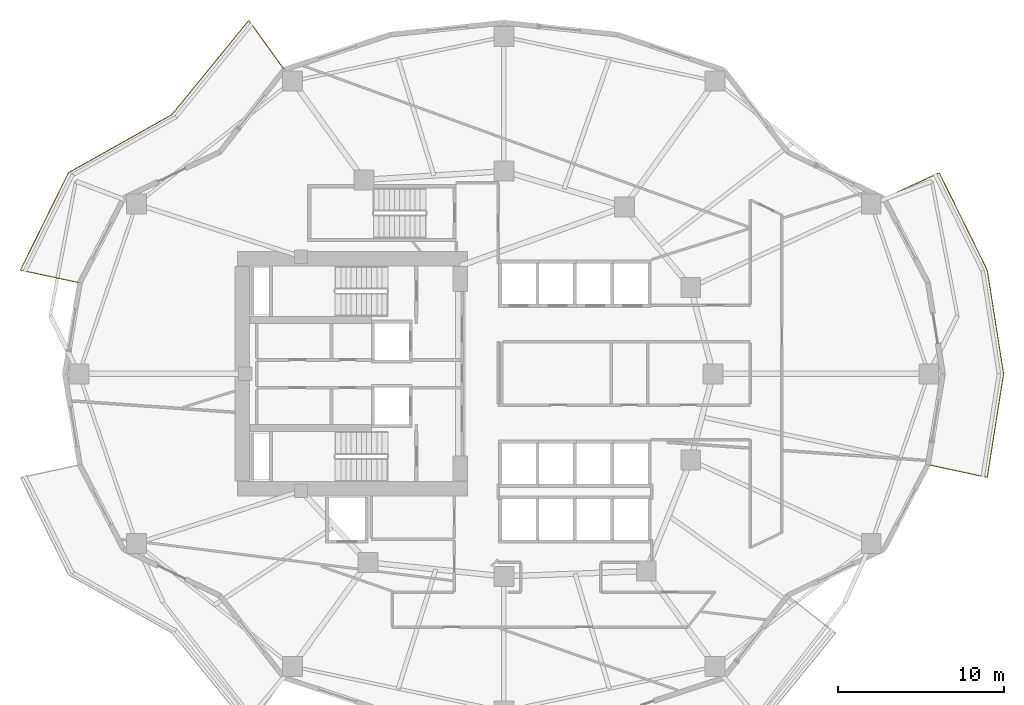
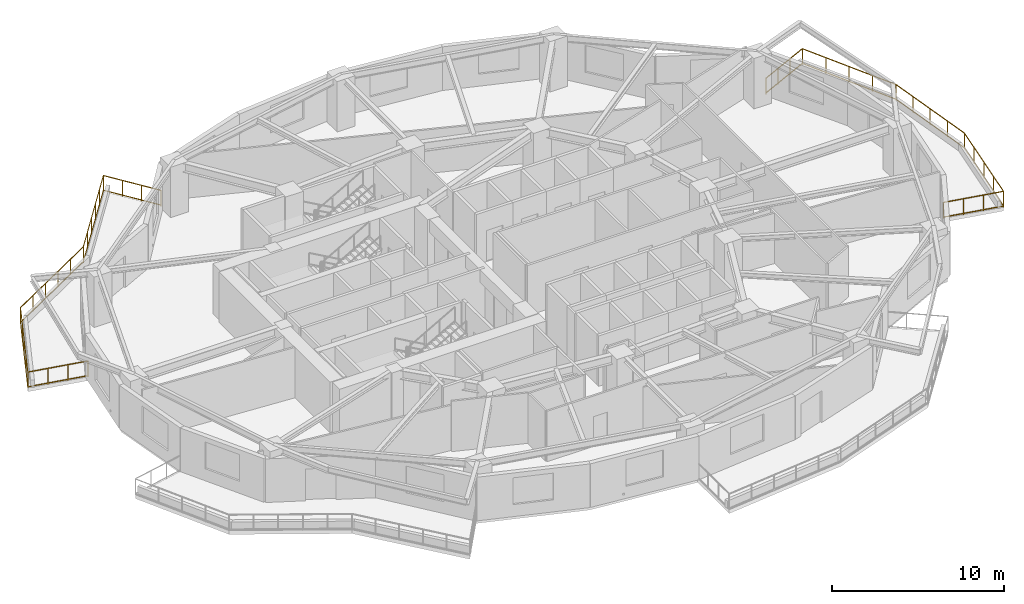
# One storey, part 10 of 11: 2 railings.
"""IFC4 building model written with IfcOpenShell, lengths in metres."""

from ifc_helpers import new_model, si_unit, direction, frame, origin, origin_2d, place, context, subcontext, project, spatial, rectangle, extrude, material, type_object, element, save


model = new_model("IFC4")

# Units and contexts
model_context = context("Model", 3, precision=1e-05, world=origin(), true_north=direction((0.0, 1.0)))
body_context = subcontext(model_context, "Body", "Model", "MODEL_VIEW")
ifc_project = project(units=[si_unit("LENGTHUNIT", "METRE"), si_unit("AREAUNIT", "SQUARE_METRE"), si_unit("VOLUMEUNIT", "CUBIC_METRE"), si_unit("PLANEANGLEUNIT", "RADIAN"), si_unit("MASSUNIT", "GRAM", prefix="KILO")], contexts=[model_context])

# Site, building, storey
site_placement = place(None, origin())
site = spatial("IfcSite", under=ifc_project, at=site_placement, CompositionType="ELEMENT")
building_placement = place(site_placement, origin())
building = spatial("IfcBuilding", under=site, at=building_placement, Name="Kolvaren Gate Tower and Convention Centre", CompositionType="ELEMENT")
storey_placement = place(building_placement, frame((0.0, 0.0, 80.39990234375)))
storey = spatial("IfcBuildingStorey", under=building, at=storey_placement, Name="L19", CompositionType="ELEMENT", Elevation=80.39990234375)

# Railings
ifc_material = material(Name="Brushed Stainless Steel Grade 316L", Category="steel")
railing_type = type_object("IfcRailingType", Name="ARCH-RL-GUARD-1150", PredefinedType="GUARDRAIL", material=ifc_material)
railing_1_placement = place(storey_placement, frame((16.90625, 45.31640625, 0.0)))
element("IfcRailing", 1, at=railing_1_placement, inside=storey, type_object=railing_type, Name="Tower L19 Terrace Perimeter Guardrail GR-1", PredefinedType="GUARDRAIL", context=body_context, shape_type="SweptSolid", body=[
    extrude(rectangle(XDim=0.048095703125, YDim=0.048095703125, at=origin_2d()), frame((-0.016357421875, 0.022705078125, 1.1259765625), z_axis=(-0.585212870465, 0.810879705161, 0.0), x_axis=(-0.810879705161, -0.585212870465, 0.0)), (0.0, 0.0, 1.0), 3.603759765625),
    extrude(rectangle(XDim=0.048095703125, YDim=0.048095703125, at=origin_2d()), frame((-0.016357421875, 0.022705078125, 0.083984375), z_axis=(-0.585212870465, 0.810879705161, 0.0), x_axis=(-0.810879705161, -0.585212870465, 0.0)), (0.0, 0.0, 1.0), 3.603759765625),
    extrude(rectangle(XDim=0.048095703125, YDim=0.048095703125, at=origin_2d()), frame((-2.15966796875, 2.946044921875, 1.1259765625), z_axis=(-0.631819273026, -0.775115737315, 0.0), x_axis=(0.775115737315, -0.631819273026, 0.0)), (0.0, 0.0, 1.0), 7.259765625),
    extrude(rectangle(XDim=0.048095703125, YDim=0.048095703125, at=origin_2d()), frame((-2.15966796875, 2.946044921875, 0.083984375), z_axis=(-0.631819273026, -0.775115737315, 0.0), x_axis=(0.775115737315, -0.631819273026, 0.0)), (0.0, 0.0, 1.0), 7.259765625),
    extrude(rectangle(XDim=0.048095703125, YDim=0.048095703125, at=origin_2d()), frame((-6.78857421875, -2.716552734375, 1.1259765625), z_axis=(-0.871783301661, -0.489891697159, 0.0), x_axis=(0.489891697159, -0.871783301661, 0.0)), (0.0, 0.0, 1.0), 7.096435546875),
    extrude(rectangle(XDim=0.048095703125, YDim=0.048095703125, at=origin_2d()), frame((-6.78857421875, -2.716552734375, 0.083984375), z_axis=(-0.871783301661, -0.489891697159, 0.0), x_axis=(0.489891697159, -0.871783301661, 0.0)), (0.0, 0.0, 1.0), 7.096435546875),
    extrude(rectangle(XDim=0.048095703125, YDim=0.048095703125, at=origin_2d()), frame((-13.011962890625, -6.23193359375, 1.1259765625), z_axis=(-0.442686636348, -0.89667638644, 0.0), x_axis=(0.89667638644, -0.442686636348, 0.0)), (0.0, 0.0, 1.0), 6.488525390625),
    extrude(rectangle(XDim=0.048095703125, YDim=0.048095703125, at=origin_2d()), frame((-13.011962890625, -6.23193359375, 0.083984375), z_axis=(-0.442686636348, -0.89667638644, 0.0), x_axis=(0.89667638644, -0.442686636348, 0.0)), (0.0, 0.0, 1.0), 6.488525390625),
    extrude(rectangle(XDim=0.048095703125, YDim=0.048095703125, at=origin_2d()), frame((-15.869384765625, -12.0810546875, 1.1259765625), z_axis=(0.977791675321, -0.209579196661, 0.0), x_axis=(0.209579196661, 0.977791675321, 0.0)), (0.0, 0.0, 1.0), 3.60400390625),
    extrude(rectangle(XDim=0.048095703125, YDim=0.048095703125, at=origin_2d()), frame((-15.869384765625, -12.0810546875, 0.083984375), z_axis=(0.977791675321, -0.209579196661, 0.0), x_axis=(0.209579196661, 0.977791675321, 0.0)), (0.0, 0.0, 1.0), 3.60400390625),
    extrude(rectangle(XDim=0.0419921875, YDim=0.0419921875, at=origin_2d()), origin(), (0.0, 0.0, 1.0), 1.14990234375),
    extrude(rectangle(XDim=0.0419921875, YDim=0.0419921875, at=origin_2d()), frame((-2.141845703125, 2.9677734375, 0.0)), (0.0, 0.0, 1.0), 1.14990234375),
    extrude(rectangle(XDim=0.0419921875, YDim=0.0419921875, at=origin_2d()), frame((-0.7138671875, 0.9892578125, 0.0)), (0.0, 0.0, 1.0), 1.099853515625),
    extrude(rectangle(XDim=0.0419921875, YDim=0.0419921875, at=origin_2d()), frame((-1.427978515625, 1.978515625, 0.0)), (0.0, 0.0, 1.0), 1.099853515625),
    extrude(rectangle(XDim=0.0419921875, YDim=0.0419921875, at=origin_2d()), frame((-6.76416015625, -2.702880859375, 0.0)), (0.0, 0.0, 1.0), 1.14990234375),
    extrude(rectangle(XDim=0.0419921875, YDim=0.0419921875, at=origin_2d()), frame((-3.06640625, 1.833740234375, 0.0)), (0.0, 0.0, 1.0), 1.099853515625),
    extrude(rectangle(XDim=0.0419921875, YDim=0.0419921875, at=origin_2d()), frame((-3.99072265625, 0.699462890625, 0.0)), (0.0, 0.0, 1.0), 1.099853515625),
    extrude(rectangle(XDim=0.0419921875, YDim=0.0419921875, at=origin_2d()), frame((-4.915283203125, -0.4345703125, 0.0)), (0.0, 0.0, 1.0), 1.099853515625),
    extrude(rectangle(XDim=0.0419921875, YDim=0.0419921875, at=origin_2d()), frame((-5.839599609375, -1.56884765625, 0.0)), (0.0, 0.0, 1.0), 1.099853515625),
    extrude(rectangle(XDim=0.0419921875, YDim=0.0419921875, at=origin_2d()), frame((-12.99951171875, -6.206787109375, 0.0)), (0.0, 0.0, 1.0), 1.14990234375),
    extrude(rectangle(XDim=0.0419921875, YDim=0.0419921875, at=origin_2d()), frame((-8.01123046875, -3.403564453125, 0.0)), (0.0, 0.0, 1.0), 1.099853515625),
    extrude(rectangle(XDim=0.0419921875, YDim=0.0419921875, at=origin_2d()), frame((-9.25830078125, -4.1044921875, 0.0)), (0.0, 0.0, 1.0), 1.099853515625),
    extrude(rectangle(XDim=0.0419921875, YDim=0.0419921875, at=origin_2d()), frame((-10.50537109375, -4.80517578125, 0.0)), (0.0, 0.0, 1.0), 1.099853515625),
    extrude(rectangle(XDim=0.0419921875, YDim=0.0419921875, at=origin_2d()), frame((-11.75244140625, -5.506103515625, 0.0)), (0.0, 0.0, 1.0), 1.099853515625),
    extrude(rectangle(XDim=0.0419921875, YDim=0.0419921875, at=origin_2d()), frame((-15.896728515625, -12.0751953125, 0.0)), (0.0, 0.0, 1.0), 1.14990234375),
    extrude(rectangle(XDim=0.0419921875, YDim=0.0419921875, at=origin_2d()), frame((-13.723876953125, -7.673828125, 0.0)), (0.0, 0.0, 1.0), 1.099853515625),
    extrude(rectangle(XDim=0.0419921875, YDim=0.0419921875, at=origin_2d()), frame((-14.4482421875, -9.14111328125, 0.0)), (0.0, 0.0, 1.0), 1.099853515625),
    extrude(rectangle(XDim=0.0419921875, YDim=0.0419921875, at=origin_2d()), frame((-15.17236328125, -10.608154296875, 0.0)), (0.0, 0.0, 1.0), 1.099853515625),
    extrude(rectangle(XDim=0.0419921875, YDim=0.0419921875, at=origin_2d()), frame((-12.31787109375, -12.84228515625, 0.0)), (0.0, 0.0, 1.0), 1.14990234375),
    extrude(rectangle(XDim=0.0419921875, YDim=0.0419921875, at=origin_2d()), frame((-14.703857421875, -12.330810546875, 0.0)), (0.0, 0.0, 1.0), 1.099853515625),
    extrude(rectangle(XDim=0.0419921875, YDim=0.0419921875, at=origin_2d()), frame((-13.5107421875, -12.586669921875, 0.0)), (0.0, 0.0, 1.0), 1.099853515625),
])
railing_2_placement = place(storey_placement, frame((55.66162109375, 21.52587890625, 0.0)))
element("IfcRailing", 2, at=railing_2_placement, inside=storey, type_object=railing_type, Name="Tower L19 Terrace Perimeter Guardrail GR-4", PredefinedType="GUARDRAIL", context=body_context, shape_type="SweptSolid", body=[
    extrude(rectangle(XDim=0.048095703125, YDim=0.048095703125, at=origin_2d()), frame((0.02734375, -0.005859375, 1.1259765625), z_axis=(0.977791675321, -0.209579196661, 0.0), x_axis=(0.209579196661, 0.977791675321, 0.0)), (0.0, 0.0, 1.0), 3.60400390625),
    extrude(rectangle(XDim=0.048095703125, YDim=0.048095703125, at=origin_2d()), frame((0.02734375, -0.005859375, 0.083984375), z_axis=(0.977791675321, -0.209579196661, 0.0), x_axis=(0.209579196661, 0.977791675321, 0.0)), (0.0, 0.0, 1.0), 3.60400390625),
    extrude(rectangle(XDim=0.048095703125, YDim=0.048095703125, at=origin_2d()), frame((3.583251953125, -0.739501953125, 1.1259765625), z_axis=(0.155418843943, 0.98784866399, 0.0), x_axis=(-0.98784866399, 0.155418843943, 0.0)), (0.0, 0.0, 1.0), 6.261962890625),
    extrude(rectangle(XDim=0.048095703125, YDim=0.048095703125, at=origin_2d()), frame((3.583251953125, -0.739501953125, 0.083984375), z_axis=(0.155418843943, 0.98784866399, 0.0), x_axis=(-0.98784866399, 0.155418843943, 0.0)), (0.0, 0.0, 1.0), 6.261962890625),
    extrude(rectangle(XDim=0.048095703125, YDim=0.048095703125, at=origin_2d()), frame((4.556396484375, 5.501708984375, 1.1259765625), z_axis=(-0.155418843943, 0.98784866399, 0.0), x_axis=(-0.98784866399, -0.155418843943, 0.0)), (0.0, 0.0, 1.0), 6.261962890625),
    extrude(rectangle(XDim=0.048095703125, YDim=0.048095703125, at=origin_2d()), frame((4.556396484375, 5.501708984375, 0.083984375), z_axis=(-0.155418843943, 0.98784866399, 0.0), x_axis=(-0.98784866399, -0.155418843943, 0.0)), (0.0, 0.0, 1.0), 6.261962890625),
    extrude(rectangle(XDim=0.048095703125, YDim=0.048095703125, at=origin_2d()), frame((3.56640625, 11.740478515625, 1.1259765625), z_axis=(-0.442686636348, 0.89667638644, 0.0), x_axis=(-0.89667638644, -0.442686636348, 0.0)), (0.0, 0.0, 1.0), 6.488525390625),
    extrude(rectangle(XDim=0.048095703125, YDim=0.048095703125, at=origin_2d()), frame((3.56640625, 11.740478515625, 0.083984375), z_axis=(-0.442686636348, 0.89667638644, 0.0), x_axis=(-0.89667638644, -0.442686636348, 0.0)), (0.0, 0.0, 1.0), 6.488525390625),
    extrude(rectangle(XDim=0.048095703125, YDim=0.048095703125, at=origin_2d()), frame((0.65625, 17.572021484375, 1.1259765625), z_axis=(-0.907846116663, -0.419303503993, 0.0), x_axis=(0.419303503993, -0.907846116663, 0.0)), (0.0, 0.0, 1.0), 3.60400390625),
    extrude(rectangle(XDim=0.048095703125, YDim=0.048095703125, at=origin_2d()), frame((0.65625, 17.572021484375, 0.083984375), z_axis=(-0.907846116663, -0.419303503993, 0.0), x_axis=(0.419303503993, -0.907846116663, 0.0)), (0.0, 0.0, 1.0), 3.60400390625),
    extrude(rectangle(XDim=0.0419921875, YDim=0.0419921875, at=origin_2d()), origin(), (0.0, 0.0, 1.0), 1.14990234375),
    extrude(rectangle(XDim=0.0419921875, YDim=0.0419921875, at=origin_2d()), frame((3.578857421875, -0.76708984375, 0.0)), (0.0, 0.0, 1.0), 1.14990234375),
    extrude(rectangle(XDim=0.0419921875, YDim=0.0419921875, at=origin_2d()), frame((1.19287109375, -0.255615234375, 0.0)), (0.0, 0.0, 1.0), 1.099853515625),
    extrude(rectangle(XDim=0.0419921875, YDim=0.0419921875, at=origin_2d()), frame((2.385986328125, -0.511474609375, 0.0)), (0.0, 0.0, 1.0), 1.099853515625),
    extrude(rectangle(XDim=0.0419921875, YDim=0.0419921875, at=origin_2d()), frame((4.560791015625, 5.47412109375, 0.0)), (0.0, 0.0, 1.0), 1.14990234375),
    extrude(rectangle(XDim=0.0419921875, YDim=0.0419921875, at=origin_2d()), frame((3.82421875, 0.793212890625, 0.0)), (0.0, 0.0, 1.0), 1.099853515625),
    extrude(rectangle(XDim=0.0419921875, YDim=0.0419921875, at=origin_2d()), frame((4.06982421875, 2.353515625, 0.0)), (0.0, 0.0, 1.0), 1.099853515625),
    extrude(rectangle(XDim=0.0419921875, YDim=0.0419921875, at=origin_2d()), frame((4.3154296875, 3.913818359375, 0.0)), (0.0, 0.0, 1.0), 1.099853515625),
    extrude(rectangle(XDim=0.0419921875, YDim=0.0419921875, at=origin_2d()), frame((3.578857421875, 11.71533203125, 0.0)), (0.0, 0.0, 1.0), 1.14990234375),
    extrude(rectangle(XDim=0.0419921875, YDim=0.0419921875, at=origin_2d()), frame((4.3154296875, 7.034423828125, 0.0)), (0.0, 0.0, 1.0), 1.099853515625),
    extrude(rectangle(XDim=0.0419921875, YDim=0.0419921875, at=origin_2d()), frame((4.06982421875, 8.5947265625, 0.0)), (0.0, 0.0, 1.0), 1.099853515625),
    extrude(rectangle(XDim=0.0419921875, YDim=0.0419921875, at=origin_2d()), frame((3.82421875, 10.155029296875, 0.0)), (0.0, 0.0, 1.0), 1.099853515625),
    extrude(rectangle(XDim=0.0419921875, YDim=0.0419921875, at=origin_2d()), frame((0.681640625, 17.583740234375, 0.0)), (0.0, 0.0, 1.0), 1.14990234375),
    extrude(rectangle(XDim=0.0419921875, YDim=0.0419921875, at=origin_2d()), frame((2.8544921875, 13.182373046875, 0.0)), (0.0, 0.0, 1.0), 1.099853515625),
    extrude(rectangle(XDim=0.0419921875, YDim=0.0419921875, at=origin_2d()), frame((2.13037109375, 14.6494140625, 0.0)), (0.0, 0.0, 1.0), 1.099853515625),
    extrude(rectangle(XDim=0.0419921875, YDim=0.0419921875, at=origin_2d()), frame((1.406005859375, 16.11669921875, 0.0)), (0.0, 0.0, 1.0), 1.099853515625),
    extrude(rectangle(XDim=0.0419921875, YDim=0.0419921875, at=origin_2d()), frame((-2.64111328125, 16.049072265625, 0.0)), (0.0, 0.0, 1.0), 1.14990234375),
    extrude(rectangle(XDim=0.0419921875, YDim=0.0419921875, at=origin_2d()), frame((-0.426025390625, 17.072265625, 0.0)), (0.0, 0.0, 1.0), 1.099853515625),
    extrude(rectangle(XDim=0.0419921875, YDim=0.0419921875, at=origin_2d()), frame((-1.533447265625, 16.560546875, 0.0)), (0.0, 0.0, 1.0), 1.099853515625),
])

save(model, "model.ifc")
